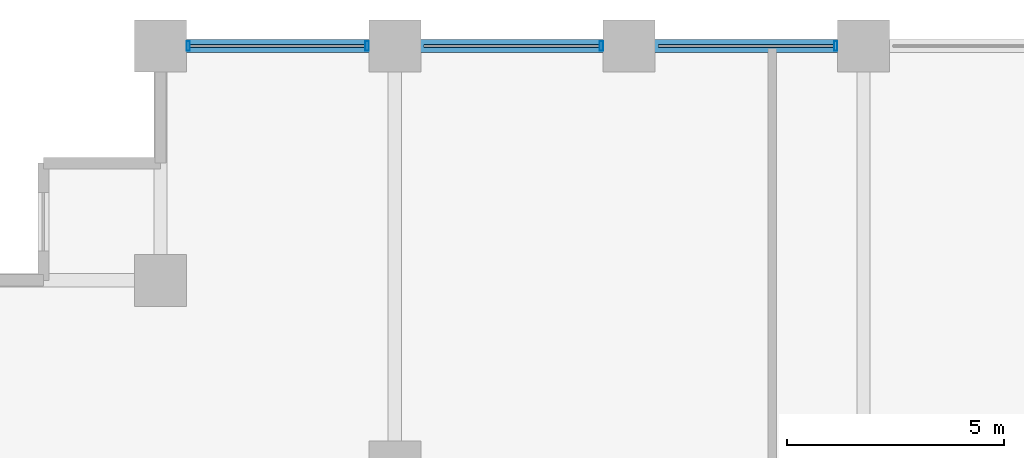
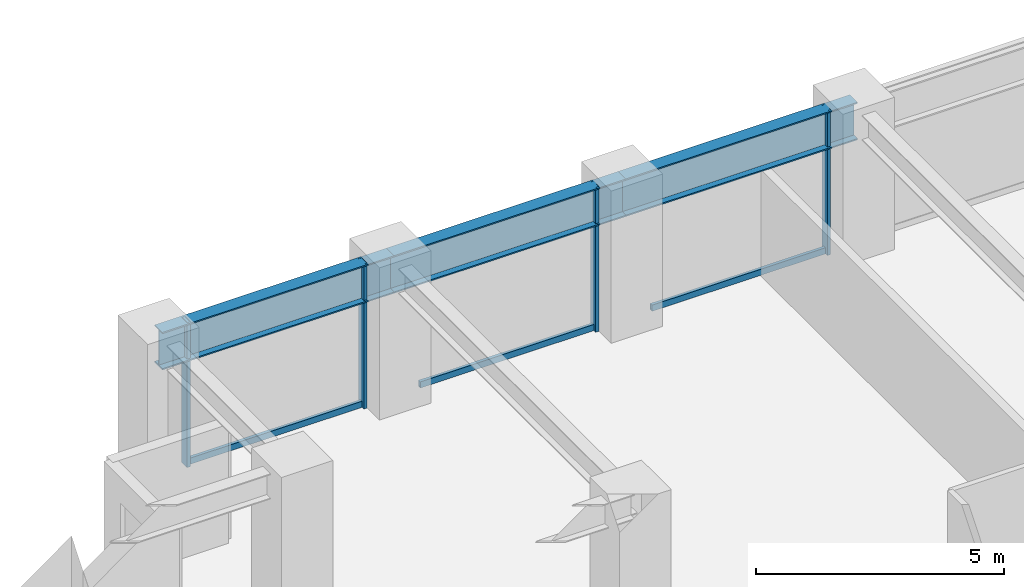
# One storey, part 12 of 28: 7 members, 3 beams, 1 element without a shape of its own.
"""IFC4 building model written with IfcOpenShell, lengths in metres."""

from ifc_helpers import new_model, si_unit, direction, frame, origin, origin_2d, place, context, subcontext, project, spatial, hollow_rectangle, i_section, extrude, material, layer, layer_set, material_profile, profile_set, type_object, element, aggregate, save


model = new_model("IFC4")

# Units and contexts
model_context = context("Model", 3, precision=1e-05, world=origin(), true_north=direction((0.0, 1.0)))
body_context = subcontext(model_context, "Body", "Model", "MODEL_VIEW")
ifc_project = project(units=[si_unit("LENGTHUNIT", "METRE"), si_unit("AREAUNIT", "SQUARE_METRE"), si_unit("VOLUMEUNIT", "CUBIC_METRE"), si_unit("PLANEANGLEUNIT", "RADIAN"), si_unit("MASSUNIT", "GRAM", prefix="KILO")], contexts=[model_context])

# Site, building, storey
site_placement = place(None, origin())
site = spatial("IfcSite", under=ifc_project, at=site_placement, CompositionType="ELEMENT")
building_placement = place(site_placement, origin())
building = spatial("IfcBuilding", under=site, at=building_placement, Name="Surkhivell Harbour Commons", CompositionType="ELEMENT")
storey_placement = place(building_placement, frame((0.0, 0.0, 67.5)))
storey = spatial("IfcBuildingStorey", under=building, at=storey_placement, Name="L17", CompositionType="ELEMENT", Elevation=67.5)

# Beams
ifc_material_1 = material(Name="Steel S460", Category="steel")
ifc_material_profile_1 = material_profile(ifc_material_1, i_section(OverallWidth=0.30810546875, OverallDepth=0.927001953125, WebThickness=0.01953125, FlangeThickness=0.031982421875, at=origin_2d()), Name="UB914x305x289")
ifc_profile_set_1 = profile_set([ifc_material_profile_1], Name="Steel S460")
beam_type = type_object("IfcBeamType", Name="BM-SPN-914B", PredefinedType="SPANDREL", material=ifc_profile_set_1)
beam_1_placement = place(storey_placement, frame((-27.0, 25.89990234375, 3.1064453125), z_axis=(1.0, 0.0, 0.0), x_axis=(0.0, 1.0, 0.0)))
element("IfcBeam", 1, at=beam_1_placement, inside=storey, type_object=beam_type, Name="L17 Tube Spandrel (-27.0,25.9)", PredefinedType="SPANDREL", context=body_context, shape_type="SweptSolid", body=[
    extrude(i_section(OverallWidth=0.30810546875, OverallDepth=0.927001953125, WebThickness=0.01953125, FlangeThickness=0.031982421875, at=origin_2d()), origin(), (0.0, 0.0, 1.0), 5.39990234375),
])
beam_2_placement = place(storey_placement, frame((-21.60009765625, 25.89990234375, 3.1064453125), z_axis=(1.0, 0.0, 0.0), x_axis=(0.0, 1.0, 0.0)))
element("IfcBeam", 2, at=beam_2_placement, inside=storey, type_object=beam_type, Name="L17 Tube Spandrel (-21.6,25.9)", PredefinedType="SPANDREL", context=body_context, shape_type="SweptSolid", body=[
    extrude(i_section(OverallWidth=0.30810546875, OverallDepth=0.927001953125, WebThickness=0.01953125, FlangeThickness=0.031982421875, at=origin_2d()), origin(), (0.0, 0.0, 1.0), 5.400146484375),
])
beam_3_placement = place(storey_placement, frame((-16.199951171875, 25.89990234375, 3.1064453125), z_axis=(1.0, 0.0, 0.0), x_axis=(0.0, 1.0, 0.0)))
element("IfcBeam", 3, at=beam_3_placement, inside=storey, type_object=beam_type, Name="L17 Tube Spandrel (-16.2,25.9)", PredefinedType="SPANDREL", context=body_context, shape_type="SweptSolid", body=[
    extrude(i_section(OverallWidth=0.30810546875, OverallDepth=0.927001953125, WebThickness=0.01953125, FlangeThickness=0.031982421875, at=origin_2d()), origin(), (0.0, 0.0, 1.0), 5.39990234375),
])

# Curtain wall, members
ifc_material_2 = material(Name="Anodised pale-metal aluminium and insulated glazing", Category="aluminium")
ifc_layer = layer(ifc_material_2, 0.219970703125)
ifc_layer_set = layer_set([ifc_layer], Name="Anodised pale-metal aluminium and insulated glazing")
curtain_wall_type = type_object("IfcCurtainWallType", Name="CW-SYS-Z1", PredefinedType="NOTDEFINED", material=ifc_layer_set)
curtain_wall_placement = place(storey_placement, origin())
curtain_wall = element("IfcCurtainWall", 4, at=curtain_wall_placement, inside=storey, type_object=curtain_wall_type, Name="L17 Curtain Wall CW-L17-E07S2", PredefinedType="NOTDEFINED")
ifc_material_3 = material(Name="Anodised pale-metal aluminium alloy 6063-T6", Category="aluminium")
ifc_material_profile_2 = material_profile(ifc_material_3, hollow_rectangle(XDim=0.074951171875, YDim=0.219970703125, WallThickness=0.00390625, at=origin_2d()), Name="ALU-MULL-75x220")
ifc_profile_set_2 = profile_set([ifc_material_profile_2], Name="Anodised pale-metal aluminium alloy 6063-T6")
member_type_1 = type_object("IfcMemberType", Name="CWM-220", PredefinedType="MULLION", material=ifc_profile_set_2)
member_1_placement = place(storey_placement, frame((-11.439453125, 25.89990234375, 0.0), z_axis=(0.0, 0.0, 1.0), x_axis=(-1.0, 0.0, 0.0)))
member_1 = element("IfcMember", 5, at=member_1_placement, type_object=member_type_1, Name="CW-Z1 mullion 2", PredefinedType="MULLION", context=body_context, shape_type="SweptSolid", body=[
    extrude(hollow_rectangle(XDim=0.074951171875, YDim=0.219970703125, WallThickness=0.00390625, at=origin_2d()), origin(), (0.0, 0.0, 1.0), 3.570068359375),
])
member_2_placement = place(storey_placement, frame((-16.839599609375, 25.89990234375, 0.0), z_axis=(0.0, 0.0, 1.0), x_axis=(-1.0, 0.0, 0.0)))
member_2 = element("IfcMember", 6, at=member_2_placement, type_object=member_type_1, Name="CW-Z1 mullion 3", PredefinedType="MULLION", context=body_context, shape_type="SweptSolid", body=[
    extrude(hollow_rectangle(XDim=0.074951171875, YDim=0.219970703125, WallThickness=0.00390625, at=origin_2d()), origin(), (0.0, 0.0, 1.0), 3.570068359375),
])
member_3_placement = place(storey_placement, frame((-22.239501953125, 25.89990234375, 0.0), z_axis=(0.0, 0.0, 1.0), x_axis=(-1.0, 0.0, 0.0)))
member_3 = element("IfcMember", 7, at=member_3_placement, type_object=member_type_1, Name="CW-Z1 mullion 4", PredefinedType="MULLION", context=body_context, shape_type="SweptSolid", body=[
    extrude(hollow_rectangle(XDim=0.074951171875, YDim=0.219970703125, WallThickness=0.00390625, at=origin_2d()), origin(), (0.0, 0.0, 1.0), 3.570068359375),
])
member_4_placement = place(storey_placement, frame((-26.360595703125, 25.89990234375, 0.0), z_axis=(0.0, 0.0, 1.0), x_axis=(-1.0, 0.0, 0.0)))
member_4 = element("IfcMember", 8, at=member_4_placement, type_object=member_type_1, Name="CW-Z1 mullion 5", PredefinedType="MULLION", context=body_context, shape_type="SweptSolid", body=[
    extrude(hollow_rectangle(XDim=0.074951171875, YDim=0.219970703125, WallThickness=0.00390625, at=origin_2d()), origin(), (0.0, 0.0, 1.0), 3.570068359375),
])
ifc_material_profile_3 = material_profile(ifc_material_3, hollow_rectangle(XDim=0.074951171875, YDim=0.14990234375, WallThickness=0.00341796875, at=origin_2d()), Name="ALU-TRAN-75x150")
ifc_profile_set_3 = profile_set([ifc_material_profile_3], Name="Anodised pale-metal aluminium alloy 6063-T6")
member_type_2 = type_object("IfcMemberType", Name="CWT-150", PredefinedType="USERDEFINED", material=ifc_profile_set_3)
member_5_placement = place(storey_placement, frame((-11.47705078125, 25.89990234375, 0.074951171875), z_axis=(-1.0, 0.0, 0.0), x_axis=(0.0, -1.0, 0.0)))
member_5 = element("IfcMember", 9, at=member_5_placement, type_object=member_type_2, Name="CW-Z1 transom 2.1", ObjectType="TRANSOM", PredefinedType="USERDEFINED", context=body_context, shape_type="SweptSolid", body=[
    extrude(hollow_rectangle(XDim=0.074951171875, YDim=0.14990234375, WallThickness=0.00341796875, at=origin_2d()), origin(), (0.0, 0.0, 1.0), 4.0458984375),
])
member_6_placement = place(storey_placement, frame((-16.876953125, 25.89990234375, 0.074951171875), z_axis=(-1.0, 0.0, 0.0), x_axis=(0.0, -1.0, 0.0)))
member_6 = element("IfcMember", 10, at=member_6_placement, type_object=member_type_2, Name="CW-Z1 transom 3.1", ObjectType="TRANSOM", PredefinedType="USERDEFINED", context=body_context, shape_type="SweptSolid", body=[
    extrude(hollow_rectangle(XDim=0.074951171875, YDim=0.14990234375, WallThickness=0.00341796875, at=origin_2d()), origin(), (0.0, 0.0, 1.0), 4.046142578125),
])
member_7_placement = place(storey_placement, frame((-22.277099609375, 25.89990234375, 0.074951171875), z_axis=(-1.0, 0.0, 0.0), x_axis=(0.0, -1.0, 0.0)))
member_7 = element("IfcMember", 11, at=member_7_placement, type_object=member_type_2, Name="CW-Z1 transom 4.1", ObjectType="TRANSOM", PredefinedType="USERDEFINED", context=body_context, shape_type="SweptSolid", body=[
    extrude(hollow_rectangle(XDim=0.074951171875, YDim=0.14990234375, WallThickness=0.00341796875, at=origin_2d()), origin(), (0.0, 0.0, 1.0), 4.0458984375),
])
aggregate(curtain_wall, [member_1, member_5, member_2, member_6, member_3, member_4, member_7])

save(model, "model.ifc")
